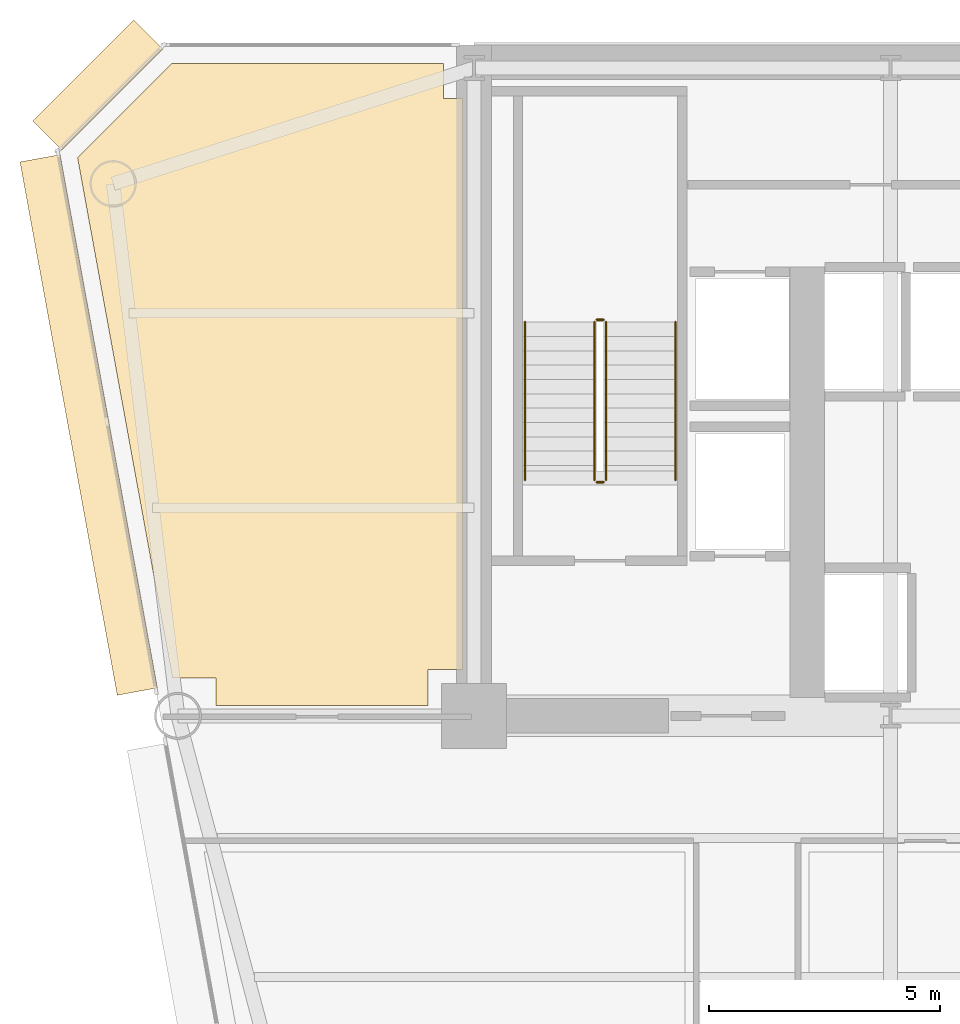
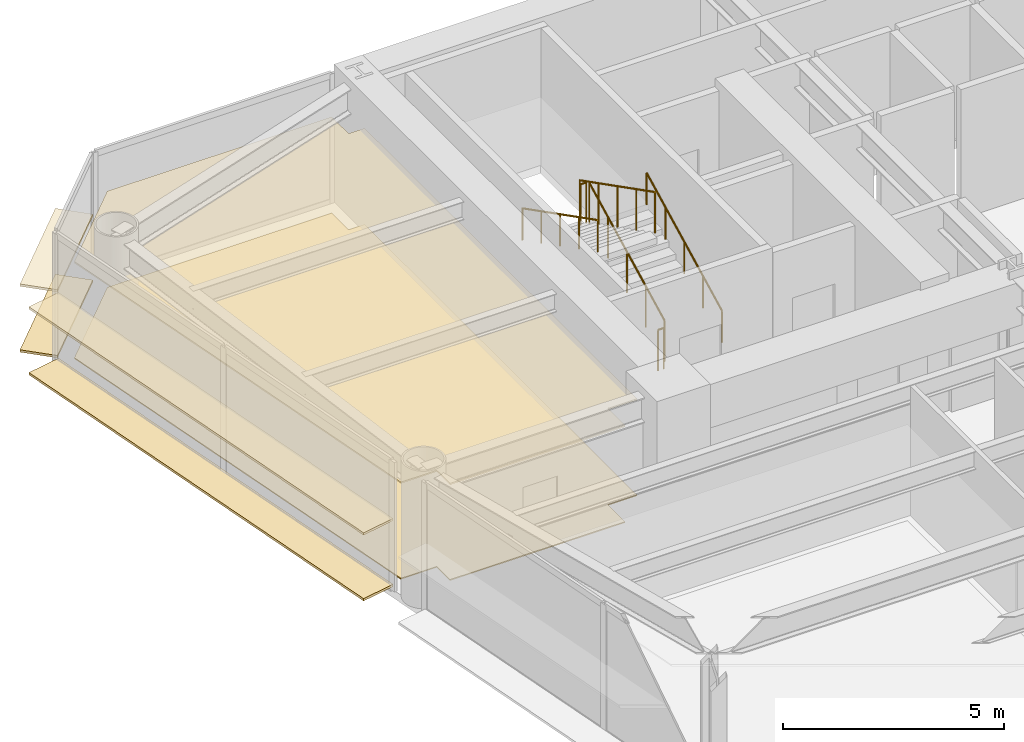
# One storey, part 13 of 15: 6 coverings, 6 railings.
"""IFC4 building model written with IfcOpenShell, lengths in metres."""

from ifc_helpers import new_model, si_unit, direction, frame, origin, origin_2d, place, context, subcontext, project, spatial, polyline, rectangle, circle, outline, extrude, source, transform, mapped, material, layer, layer_set, type_object, element, save


model = new_model("IFC4")

# Units and contexts
model_context = context("Model", 3, precision=1e-05, world=origin(), true_north=direction((0.0, 1.0)))
body_context = subcontext(model_context, "Body", "Model", "MODEL_VIEW")
ifc_project = project(units=[si_unit("LENGTHUNIT", "METRE"), si_unit("AREAUNIT", "SQUARE_METRE"), si_unit("VOLUMEUNIT", "CUBIC_METRE"), si_unit("PLANEANGLEUNIT", "RADIAN"), si_unit("MASSUNIT", "GRAM", prefix="KILO")], contexts=[model_context])

# Site, building, storey
site_placement = place(None, origin())
site = spatial("IfcSite", under=ifc_project, at=site_placement, CompositionType="ELEMENT")
building_placement = place(site_placement, origin())
building = spatial("IfcBuilding", under=site, at=building_placement, Name="Vaeldorn Concourse Tower", CompositionType="ELEMENT")
storey_placement = place(building_placement, frame((0.0, 0.0, 103.39990234375)))
storey = spatial("IfcBuildingStorey", under=building, at=storey_placement, Name="L26", CompositionType="ELEMENT", Elevation=103.39990234375)

# Coverings
ifc_material_1 = material(Name="Acoustic Mineral Fibre Board", Category="gypsum")
ifc_layer_1 = layer(ifc_material_1, 0.0400390625)
ifc_layer_set_1 = layer_set([ifc_layer_1], Name="Acoustic Mineral Fibre Board")
covering_type_1 = type_object("IfcCoveringType", Name="COV-CEIL-ACOUSTIC", PredefinedType="CEILING", material=ifc_layer_set_1)
covering_1_placement = place(storey_placement, frame((0.0, 0.0, 2.650146484375)))
element("IfcCovering", 1, at=covering_1_placement, inside=storey, type_object=covering_type_1, Name="Suspended Acoustic Ceiling L26-3", PredefinedType="CEILING", context=body_context, shape_type="SweptSolid", body=[
    extrude(outline(polyline([(7.4658203125, 50.60009765625), (13.340087890625, 50.60009765625), (13.340087890625, 49.840087890625), (13.760009765625, 49.840087890625), (13.760009765625, 37.5), (13.0, 37.5), (13.0, 36.719970703125), (8.419921875, 36.719970703125), (8.419921875, 37.320068359375), (7.481689453125, 37.320068359375), (5.43115234375, 48.5654296875), (7.4658203125, 50.60009765625)])), origin(), (0.0, 0.0, 1.0), 0.0400390625),
])
ifc_material_2 = material(Name="Honed Limestone Terrazzo Flooring", Category="masonry")
ifc_layer_2 = layer(ifc_material_2, 0.0400390625)
ifc_layer_set_2 = layer_set([ifc_layer_2], Name="Honed Limestone Terrazzo Flooring")
covering_type_2 = type_object("IfcCoveringType", Name="COV-FLOOR-STONE", PredefinedType="FLOORING", material=ifc_layer_set_2)
covering_2_placement = place(storey_placement, origin())
element("IfcCovering", 2, at=covering_2_placement, inside=storey, type_object=covering_type_2, Name="Floor Finish Covering L26-3", PredefinedType="FLOORING", context=body_context, shape_type="SweptSolid", body=[
    extrude(outline(polyline([(7.4658203125, 50.60009765625), (13.340087890625, 50.60009765625), (13.340087890625, 49.840087890625), (13.760009765625, 49.840087890625), (13.760009765625, 37.5), (13.0, 37.5), (13.0, 36.719970703125), (8.419921875, 36.719970703125), (8.419921875, 37.320068359375), (7.481689453125, 37.320068359375), (5.43115234375, 48.5654296875), (7.4658203125, 50.60009765625)])), origin(), (0.0, 0.0, 1.0), 0.030029296875),
])

# Railings
ifc_material_3 = material(Name="Anodised Bronze Aluminium", Category="aluminium")
railing_type_1 = type_object("IfcRailingType", Name="RL-STAIR-GUARD", PredefinedType="GUARDRAIL", material=ifc_material_3)
railing_1_placement = place(storey_placement, frame((16.85009765625, 41.60009765625, 0.158447265625)))
element("IfcRailing", 3, at=railing_1_placement, inside=storey, type_object=railing_type_1, Name="L26 ST-1 stair guard 1", PredefinedType="GUARDRAIL", context=body_context, shape_type="SweptSolid", body=[
    extrude(circle(Radius=0.02392578125, at=origin_2d()), frame((0.0, 0.0, 1.1259765625), z_axis=(0.0, 0.890555807335, 0.454873997962), x_axis=(-1.0, 0.0, 0.0)), (0.0, 0.0, 1.0), 3.828857421875),
    extrude(circle(Radius=0.02099609375, at=origin_2d()), origin(), (0.0, 0.0, 1.0), 1.101806640625),
    extrude(circle(Radius=0.02099609375, at=origin_2d()), frame((0.0, 0.8525390625, 0.435546875)), (0.0, 0.0, 1.0), 1.101806640625),
    extrude(circle(Radius=0.02099609375, at=origin_2d()), frame((0.0, 1.705078125, 0.870849609375)), (0.0, 0.0, 1.0), 1.101806640625),
    extrude(circle(Radius=0.02099609375, at=origin_2d()), frame((0.0, 2.557373046875, 1.30615234375)), (0.0, 0.0, 1.0), 1.101806640625),
    extrude(circle(Radius=0.02099609375, at=origin_2d()), frame((0.0, 3.409912109375, 1.74169921875)), (0.0, 0.0, 1.0), 1.101806640625),
])
railing_2_placement = place(storey_placement, frame((16.800048828125, 45.06005859375, 1.900146484375)))
element("IfcRailing", 4, at=railing_2_placement, inside=storey, type_object=railing_type_1, Name="L26 ST-1 stair guard 2", PredefinedType="GUARDRAIL", context=body_context, shape_type="SweptSolid", body=[
    extrude(circle(Radius=0.02392578125, at=origin_2d()), frame((0.0, 0.0, 1.1259765625), z_axis=(-1.0, 0.0, 0.0), x_axis=(0.0, -1.0, 0.0)), (0.0, 0.0, 1.0), 0.150146484375),
    extrude(circle(Radius=0.02099609375, at=origin_2d()), origin(), (0.0, 0.0, 1.0), 1.101806640625),
    extrude(circle(Radius=0.02099609375, at=origin_2d()), frame((-0.150146484375, 0.0, 0.0)), (0.0, 0.0, 1.0), 1.101806640625),
])
railing_3_placement = place(storey_placement, frame((16.60009765625, 45.010009765625, 2.058349609375)))
element("IfcRailing", 5, at=railing_3_placement, inside=storey, type_object=railing_type_1, Name="L26 ST-1 stair guard 3", PredefinedType="GUARDRAIL", context=body_context, shape_type="SweptSolid", body=[
    extrude(circle(Radius=0.02392578125, at=origin_2d()), frame((0.0, 0.0, 1.1259765625), z_axis=(0.0, -0.890555807335, 0.454873997962), x_axis=(1.0, 0.0, 0.0)), (0.0, 0.0, 1.0), 3.828857421875),
    extrude(circle(Radius=0.02099609375, at=origin_2d()), origin(), (0.0, 0.0, 1.0), 1.101806640625),
    extrude(circle(Radius=0.02099609375, at=origin_2d()), frame((0.0, -0.8525390625, 0.435546875)), (0.0, 0.0, 1.0), 1.101806640625),
    extrude(circle(Radius=0.02099609375, at=origin_2d()), frame((0.0, -1.705078125, 0.870849609375)), (0.0, 0.0, 1.0), 1.101806640625),
    extrude(circle(Radius=0.02099609375, at=origin_2d()), frame((0.0, -2.557373046875, 1.30615234375)), (0.0, 0.0, 1.0), 1.101806640625),
    extrude(circle(Radius=0.02099609375, at=origin_2d()), frame((0.0, -3.409912109375, 1.74169921875)), (0.0, 0.0, 1.0), 1.101806640625),
])
railing_4_placement = place(storey_placement, frame((16.800048828125, 41.550048828125, 0.0)))
element("IfcRailing", 6, at=railing_4_placement, inside=storey, type_object=railing_type_1, Name="L26 ST-1 stair guard 4", PredefinedType="GUARDRAIL", context=body_context, shape_type="SweptSolid", body=[
    extrude(circle(Radius=0.02392578125, at=origin_2d()), frame((0.0, 0.0, 1.1259765625), z_axis=(-1.0, 0.0, 0.0), x_axis=(0.0, -1.0, 0.0)), (0.0, 0.0, 1.0), 0.150146484375),
    extrude(circle(Radius=0.02099609375, at=origin_2d()), origin(), (0.0, 0.0, 1.0), 1.101806640625),
    extrude(circle(Radius=0.02099609375, at=origin_2d()), frame((-0.150146484375, 0.0, 0.0)), (0.0, 0.0, 1.0), 1.101806640625),
])
railing_type_2 = type_object("IfcRailingType", Name="RL-STAIR-HANDRAIL", PredefinedType="HANDRAIL", material=ifc_material_3)
railing_5_placement = place(storey_placement, frame((18.35009765625, 41.60009765625, 0.158447265625)))
element("IfcRailing", 7, at=railing_5_placement, inside=storey, type_object=railing_type_2, Name="L26 ST-1 stair handrail 1", PredefinedType="HANDRAIL", context=body_context, shape_type="SweptSolid", body=[
    extrude(circle(Radius=0.02392578125, at=origin_2d()), frame((0.0, 0.0, 0.8759765625), z_axis=(0.0, 0.890555807335, 0.454873997962), x_axis=(-1.0, 0.0, 0.0)), (0.0, 0.0, 1.0), 3.828857421875),
    extrude(circle(Radius=0.02099609375, at=origin_2d()), origin(), (0.0, 0.0, 1.0), 0.851806640625),
    extrude(circle(Radius=0.02099609375, at=origin_2d()), frame((0.0, 0.8525390625, 0.435546875)), (0.0, 0.0, 1.0), 0.851806640625),
    extrude(circle(Radius=0.02099609375, at=origin_2d()), frame((0.0, 1.705078125, 0.870849609375)), (0.0, 0.0, 1.0), 0.851806640625),
    extrude(circle(Radius=0.02099609375, at=origin_2d()), frame((0.0, 2.557373046875, 1.30615234375)), (0.0, 0.0, 1.0), 0.851806640625),
    extrude(circle(Radius=0.02099609375, at=origin_2d()), frame((0.0, 3.409912109375, 1.74169921875)), (0.0, 0.0, 1.0), 0.851806640625),
])
railing_6_placement = place(storey_placement, frame((15.10009765625, 45.010009765625, 2.058349609375)))
element("IfcRailing", 8, at=railing_6_placement, inside=storey, type_object=railing_type_2, Name="L26 ST-1 stair handrail 2", PredefinedType="HANDRAIL", context=body_context, shape_type="SweptSolid", body=[
    extrude(circle(Radius=0.02392578125, at=origin_2d()), frame((0.0, 0.0, 0.8759765625), z_axis=(0.0, -0.890555807335, 0.454873997962), x_axis=(1.0, 0.0, 0.0)), (0.0, 0.0, 1.0), 3.828857421875),
    extrude(circle(Radius=0.02099609375, at=origin_2d()), origin(), (0.0, 0.0, 1.0), 0.851806640625),
    extrude(circle(Radius=0.02099609375, at=origin_2d()), frame((0.0, -0.8525390625, 0.435546875)), (0.0, 0.0, 1.0), 0.851806640625),
    extrude(circle(Radius=0.02099609375, at=origin_2d()), frame((0.0, -1.705078125, 0.870849609375)), (0.0, 0.0, 1.0), 0.851806640625),
    extrude(circle(Radius=0.02099609375, at=origin_2d()), frame((0.0, -2.557373046875, 1.30615234375)), (0.0, 0.0, 1.0), 0.851806640625),
    extrude(circle(Radius=0.02099609375, at=origin_2d()), frame((0.0, -3.409912109375, 1.74169921875)), (0.0, 0.0, 1.0), 0.851806640625),
])

# Coverings
ifc_layer_3 = layer(ifc_material_3, 0.06494140625)
ifc_layer_set_3 = layer_set([ifc_layer_3], Name="Anodised Bronze Aluminium")
covering_type_3 = type_object("IfcCoveringType", Name="SD-BRONZE-SUNSHADE", PredefinedType="USERDEFINED", material=ifc_layer_set_3)
shared_shape_1 = source(origin(), body_context, "Body", "SweptSolid", [
    extrude(rectangle(XDim=3.0927734375, YDim=0.8798828125, at=origin_2d()), origin(), (0.0, 0.0, 1.0), 0.06494140625),
])
for number, where, z_axis, x_axis, name in (
    (9, (5.8671875, 50.1328125, 0.047607421875), (0.0, 0.0, 1.0), (-0.707106781187, -0.707106781187, 0.0), "Horizontal Bronze Sunshade L26-E10.1.1"),
    (10, (5.8671875, 50.1328125, 1.86767578125), (0.0, 0.0, 1.0), (-0.707106781187, -0.707106781187, 0.0), "Horizontal Bronze Sunshade L26-E10.1.2"),
):
    element("IfcCovering", number, at=place(storey_placement, frame(where, z_axis=z_axis, x_axis=x_axis)), inside=storey, type_object=covering_type_3, Name=name, ObjectType="SUNSHADE", PredefinedType="USERDEFINED", context=body_context, shape_type="MappedRepresentation", body=[
        mapped(shared_shape_1, transform((0.0, 0.0, 0.0), scale=1.0)),
    ])
shared_shape_2 = source(origin(), body_context, "Body", "SweptSolid", [
    extrude(rectangle(XDim=11.714599609375, YDim=0.8798828125, at=origin_2d()), origin(), (0.0, 0.0, 1.0), 0.06494140625),
])
for number, where, z_axis, x_axis, name in (
    (11, (5.67138671875, 42.787109375, 0.047607421875), (0.0, 0.0, 1.0), (0.179386032735, -0.983778761338, 0.0), "Horizontal Bronze Sunshade L26-E11.1.1"),
    (12, (5.67138671875, 42.787109375, 1.86767578125), (0.0, 0.0, 1.0), (0.179386032735, -0.983778761338, 0.0), "Horizontal Bronze Sunshade L26-E11.1.2"),
):
    element("IfcCovering", number, at=place(storey_placement, frame(where, z_axis=z_axis, x_axis=x_axis)), inside=storey, type_object=covering_type_3, Name=name, ObjectType="SUNSHADE", PredefinedType="USERDEFINED", context=body_context, shape_type="MappedRepresentation", body=[
        mapped(shared_shape_2, transform((0.0, 0.0, 0.0), scale=1.0)),
    ])

save(model, "model.ifc")
